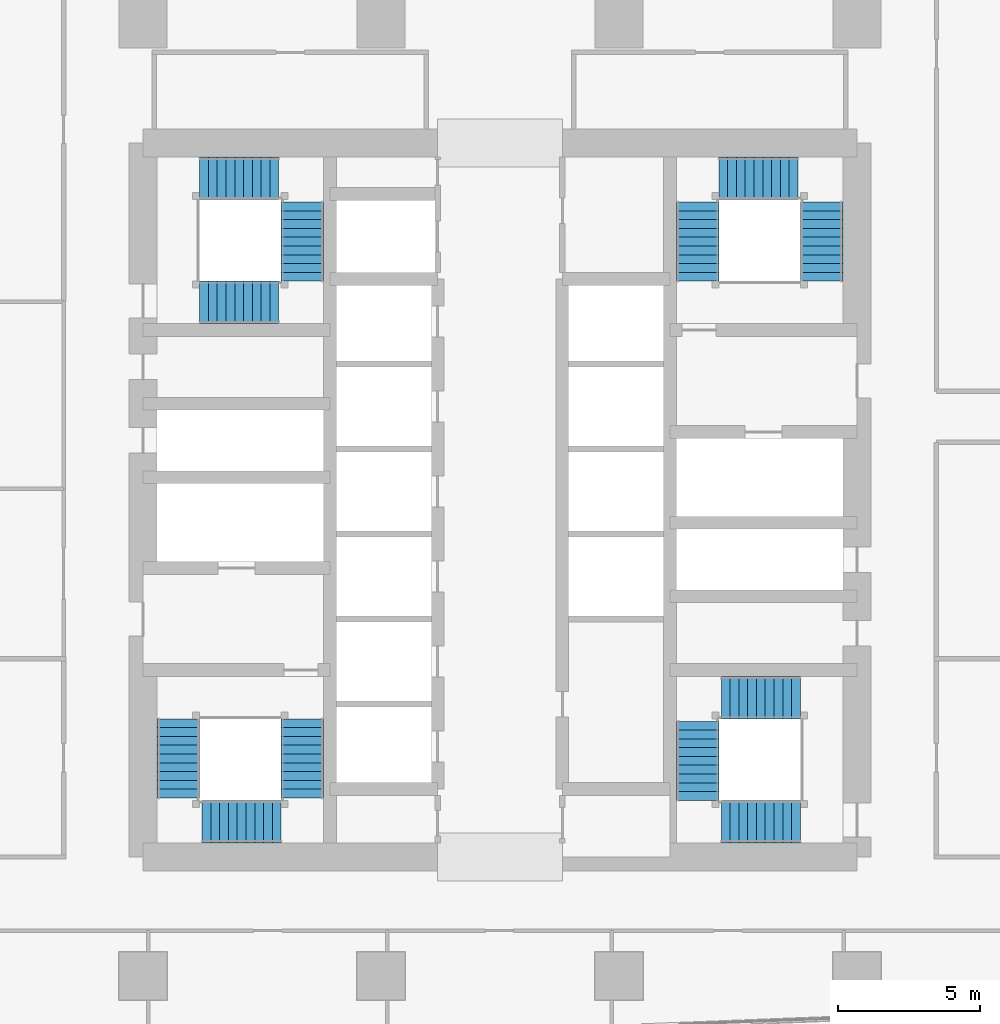
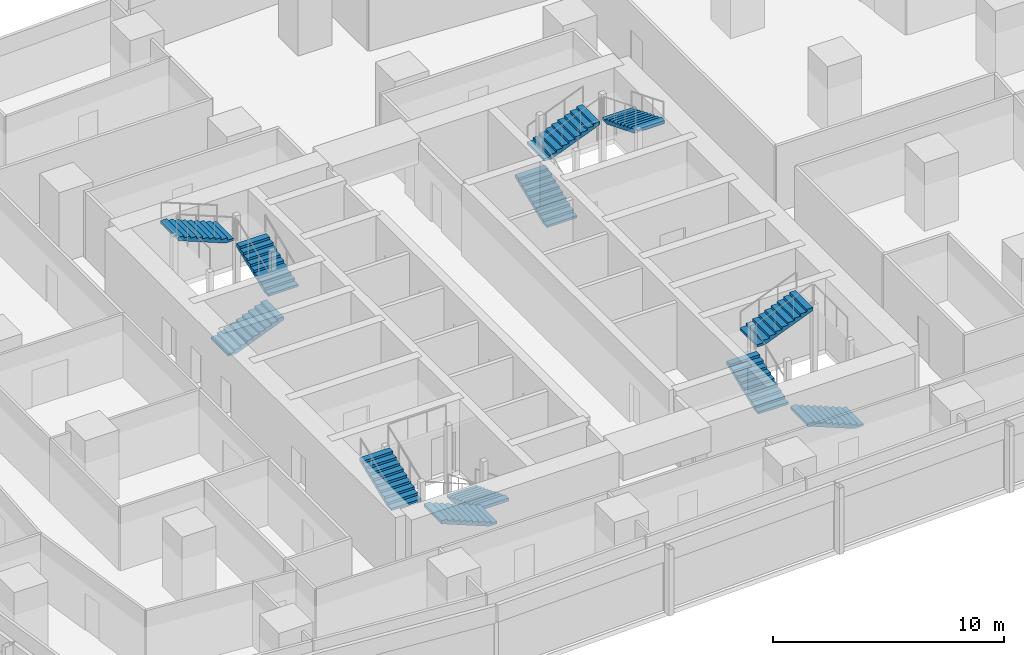
# One storey, part 32 of 40: 12 stair flights, 4 elements without a shape of their own.
"""IFC4 building model written with IfcOpenShell, lengths in metres."""

from ifc_helpers import new_model, si_unit, direction, frame, origin, place, context, subcontext, project, spatial, polyline, outline, extrude, material, type_object, element, aggregate, save


model = new_model("IFC4")

# Units and contexts
model_context = context("Model", 3, precision=1e-05, world=origin(), true_north=direction((0.0, 1.0)))
body_context = subcontext(model_context, "Body", "Model", "MODEL_VIEW")
ifc_project = project(units=[si_unit("LENGTHUNIT", "METRE"), si_unit("AREAUNIT", "SQUARE_METRE"), si_unit("VOLUMEUNIT", "CUBIC_METRE"), si_unit("PLANEANGLEUNIT", "RADIAN"), si_unit("MASSUNIT", "GRAM", prefix="KILO")], contexts=[model_context])

# Site, building, storey
site_placement = place(None, origin())
site = spatial("IfcSite", under=ifc_project, at=site_placement, CompositionType="ELEMENT")
building_placement = place(site_placement, origin())
building = spatial("IfcBuilding", under=site, at=building_placement, Name="Rekha Terrace Tower", CompositionType="ELEMENT")
storey_placement = place(building_placement, frame((0.0, 0.0, 136.550048828125)))
storey = spatial("IfcBuildingStorey", under=building, at=storey_placement, Name="L34", CompositionType="ELEMENT", Elevation=136.550048828125)

# Stair, stair flights
ifc_material = material(Name="Concrete M40", Category="concrete")
stair_type = type_object("IfcStairType", Name="ST30 stair, 30 risers of 125, going 310, 1500 wide flights, 3 flights", PredefinedType="HALF_TURN_STAIR", material=ifc_material)
stair_1_placement = place(storey_placement, origin())
stair_1 = element("IfcStair", 1, at=stair_1_placement, inside=storey, type_object=stair_type, Name="Stair ST1 L34 to L35", PredefinedType="HALF_TURN_STAIR")
stair_flight_type = type_object("IfcStairFlightType", Name="SF10 stair flight, 10 risers of 125, going 310, 1500 wide", PredefinedType="STRAIGHT", material=ifc_material)
stair_flight_1_placement = place(storey_placement, frame((30.824951171875, 25.875, 0.0), z_axis=(0.0, 0.0, 1.0), x_axis=(0.0, -1.0, 0.0)))
stair_flight_1 = element("IfcStairFlight", 2, at=stair_flight_1_placement, type_object=stair_flight_type, Name="ST1 flight 1", NumberOfRisers=10, NumberOfTreads=9, PredefinedType="STRAIGHT", RiserHeight=0.125, TreadLength=0.31, context=body_context, shape_type="SweptSolid", body=[
    extrude(outline(polyline([(0.0, 0.0), (0.0, 0.125), (0.31005859375, 0.125), (0.31005859375, 0.25), (0.6201171875, 0.25), (0.6201171875, 0.375), (0.929931640625, 0.375), (0.929931640625, 0.5), (1.239990234375, 0.5), (1.239990234375, 0.625), (1.550048828125, 0.625), (1.550048828125, 0.75), (1.860107421875, 0.75), (1.860107421875, 0.875), (2.169921875, 0.875), (2.169921875, 1.0), (2.47998046875, 1.0), (2.47998046875, 1.125), (2.7900390625, 1.125), (2.7900390625, 1.25), (2.7900390625, 0.96337890625), (0.40087890625, 0.0), (0.0, 0.0)])), frame((0.0, 0.75, 0.0), z_axis=(0.0, -1.0, 0.0), x_axis=(1.0, 0.0, 0.0)), (0.0, 0.0, 1.0), 1.5),
])
stair_flight_2_placement = place(storey_placement, frame((30.074951171875, 22.25, 1.25), z_axis=(0.0, 0.0, 1.0), x_axis=(-1.0, 0.0, 0.0)))
stair_flight_2 = element("IfcStairFlight", 3, at=stair_flight_2_placement, type_object=stair_flight_type, Name="ST1 flight 2", NumberOfRisers=10, NumberOfTreads=9, PredefinedType="STRAIGHT", RiserHeight=0.125, TreadLength=0.31, context=body_context, shape_type="SweptSolid", body=[
    extrude(outline(polyline([(0.0, 0.0), (0.0, 0.125), (0.31005859375, 0.125), (0.31005859375, 0.25), (0.6201171875, 0.25), (0.6201171875, 0.375), (0.929931640625, 0.375), (0.929931640625, 0.5), (1.239990234375, 0.5), (1.239990234375, 0.625), (1.550048828125, 0.625), (1.550048828125, 0.75), (1.860107421875, 0.75), (1.860107421875, 0.875), (2.169921875, 0.875), (2.169921875, 1.0), (2.47998046875, 1.0), (2.47998046875, 1.125), (2.7900390625, 1.125), (2.7900390625, 1.25), (2.7900390625, 0.96337890625), (0.40087890625, 0.0), (0.0, 0.0)])), frame((0.0, 0.75, 0.0), z_axis=(0.0, -1.0, 0.0), x_axis=(1.0, 0.0, 0.0)), (0.0, 0.0, 1.0), 1.5),
])
stair_flight_3_placement = place(storey_placement, frame((26.449951171875, 23.0849609375, 2.5), z_axis=(0.0, 0.0, 1.0), x_axis=(0.0, 1.0, 0.0)))
stair_flight_3 = element("IfcStairFlight", 4, at=stair_flight_3_placement, type_object=stair_flight_type, Name="ST1 flight 3", NumberOfRisers=10, NumberOfTreads=9, PredefinedType="STRAIGHT", RiserHeight=0.125, TreadLength=0.31, context=body_context, shape_type="SweptSolid", body=[
    extrude(outline(polyline([(0.0, 0.0), (0.0, 0.125), (0.31005859375, 0.125), (0.31005859375, 0.25), (0.6201171875, 0.25), (0.6201171875, 0.375), (0.929931640625, 0.375), (0.929931640625, 0.5), (1.239990234375, 0.5), (1.239990234375, 0.625), (1.550048828125, 0.625), (1.550048828125, 0.75), (1.860107421875, 0.75), (1.860107421875, 0.875), (2.169921875, 0.875), (2.169921875, 1.0), (2.47998046875, 1.0), (2.47998046875, 1.125), (2.7900390625, 1.125), (2.7900390625, 1.25), (2.7900390625, 0.96337890625), (0.40087890625, 0.0), (0.0, 0.0)])), frame((0.0, 0.75, 0.0), z_axis=(0.0, -1.0, 0.0), x_axis=(1.0, 0.0, 0.0)), (0.0, 0.0, 1.0), 1.5),
])
aggregate(stair_1, [stair_flight_1, stair_flight_2, stair_flight_3])

stair_2_placement = place(storey_placement, origin())
stair_2 = element("IfcStair", 5, at=stair_2_placement, inside=storey, type_object=stair_type, Name="Stair ST2 L34 to L35", PredefinedType="HALF_TURN_STAIR")
stair_flight_4_placement = place(storey_placement, frame((44.77490234375, 41.324951171875, 0.0), z_axis=(0.0, 0.0, 1.0), x_axis=(0.0, 1.0, 0.0)))
stair_flight_4 = element("IfcStairFlight", 6, at=stair_flight_4_placement, type_object=stair_flight_type, Name="ST2 flight 1", NumberOfRisers=10, NumberOfTreads=9, PredefinedType="STRAIGHT", RiserHeight=0.125, TreadLength=0.31, context=body_context, shape_type="SweptSolid", body=[
    extrude(outline(polyline([(0.0, 0.0), (0.0, 0.125), (0.31005859375, 0.125), (0.31005859375, 0.25), (0.6201171875, 0.25), (0.6201171875, 0.375), (0.929931640625, 0.375), (0.929931640625, 0.5), (1.239990234375, 0.5), (1.239990234375, 0.625), (1.550048828125, 0.625), (1.550048828125, 0.75), (1.860107421875, 0.75), (1.860107421875, 0.875), (2.169921875, 0.875), (2.169921875, 1.0), (2.47998046875, 1.0), (2.47998046875, 1.125), (2.7900390625, 1.125), (2.7900390625, 1.25), (2.7900390625, 0.96337890625), (0.40087890625, 0.0), (0.0, 0.0)])), frame((0.0, 0.75, 0.0), z_axis=(0.0, -1.0, 0.0), x_axis=(1.0, 0.0, 0.0)), (0.0, 0.0, 1.0), 1.5),
])
stair_flight_5_placement = place(storey_placement, frame((45.52490234375, 44.949951171875, 1.25), z_axis=(0.0, 0.0, 1.0), x_axis=(1.0, 0.0, 0.0)))
stair_flight_5 = element("IfcStairFlight", 7, at=stair_flight_5_placement, type_object=stair_flight_type, Name="ST2 flight 2", NumberOfRisers=10, NumberOfTreads=9, PredefinedType="STRAIGHT", RiserHeight=0.125, TreadLength=0.31, context=body_context, shape_type="SweptSolid", body=[
    extrude(outline(polyline([(0.0, 0.0), (0.0, 0.125), (0.31005859375, 0.125), (0.31005859375, 0.25), (0.6201171875, 0.25), (0.6201171875, 0.375), (0.929931640625, 0.375), (0.929931640625, 0.5), (1.239990234375, 0.5), (1.239990234375, 0.625), (1.550048828125, 0.625), (1.550048828125, 0.75), (1.860107421875, 0.75), (1.860107421875, 0.875), (2.169921875, 0.875), (2.169921875, 1.0), (2.47998046875, 1.0), (2.47998046875, 1.125), (2.7900390625, 1.125), (2.7900390625, 1.25), (2.7900390625, 0.96337890625), (0.40087890625, 0.0), (0.0, 0.0)])), frame((0.0, 0.75, 0.0), z_axis=(0.0, -1.0, 0.0), x_axis=(1.0, 0.0, 0.0)), (0.0, 0.0, 1.0), 1.5),
])
stair_flight_6_placement = place(storey_placement, frame((49.14990234375, 44.114990234375, 2.5), z_axis=(0.0, 0.0, 1.0), x_axis=(0.0, -1.0, 0.0)))
stair_flight_6 = element("IfcStairFlight", 8, at=stair_flight_6_placement, type_object=stair_flight_type, Name="ST2 flight 3", NumberOfRisers=10, NumberOfTreads=9, PredefinedType="STRAIGHT", RiserHeight=0.125, TreadLength=0.31, context=body_context, shape_type="SweptSolid", body=[
    extrude(outline(polyline([(0.0, 0.0), (0.0, 0.125), (0.31005859375, 0.125), (0.31005859375, 0.25), (0.6201171875, 0.25), (0.6201171875, 0.375), (0.929931640625, 0.375), (0.929931640625, 0.5), (1.239990234375, 0.5), (1.239990234375, 0.625), (1.550048828125, 0.625), (1.550048828125, 0.75), (1.860107421875, 0.75), (1.860107421875, 0.875), (2.169921875, 0.875), (2.169921875, 1.0), (2.47998046875, 1.0), (2.47998046875, 1.125), (2.7900390625, 1.125), (2.7900390625, 1.25), (2.7900390625, 0.96337890625), (0.40087890625, 0.0), (0.0, 0.0)])), frame((0.0, 0.75, 0.0), z_axis=(0.0, -1.0, 0.0), x_axis=(1.0, 0.0, 0.0)), (0.0, 0.0, 1.0), 1.5),
])
aggregate(stair_2, [stair_flight_4, stair_flight_5, stair_flight_6])

stair_3_placement = place(storey_placement, origin())
stair_3 = element("IfcStair", 9, at=stair_3_placement, inside=storey, type_object=stair_type, Name="Stair ST3 L34 to L35", PredefinedType="HALF_TURN_STAIR")
stair_flight_7_placement = place(storey_placement, frame((48.39990234375, 22.25, 0.0), z_axis=(0.0, 0.0, 1.0), x_axis=(-1.0, 0.0, 0.0)))
stair_flight_7 = element("IfcStairFlight", 10, at=stair_flight_7_placement, type_object=stair_flight_type, Name="ST3 flight 1", NumberOfRisers=10, NumberOfTreads=9, PredefinedType="STRAIGHT", RiserHeight=0.125, TreadLength=0.31, context=body_context, shape_type="SweptSolid", body=[
    extrude(outline(polyline([(0.0, 0.0), (0.0, 0.125), (0.31005859375, 0.125), (0.31005859375, 0.25), (0.6201171875, 0.25), (0.6201171875, 0.375), (0.929931640625, 0.375), (0.929931640625, 0.5), (1.239990234375, 0.5), (1.239990234375, 0.625), (1.550048828125, 0.625), (1.550048828125, 0.75), (1.860107421875, 0.75), (1.860107421875, 0.875), (2.169921875, 0.875), (2.169921875, 1.0), (2.47998046875, 1.0), (2.47998046875, 1.125), (2.7900390625, 1.125), (2.7900390625, 1.25), (2.7900390625, 0.96337890625), (0.40087890625, 0.0), (0.0, 0.0)])), frame((0.0, 0.75, 0.0), z_axis=(0.0, -1.0, 0.0), x_axis=(1.0, 0.0, 0.0)), (0.0, 0.0, 1.0), 1.5),
])
stair_flight_8_placement = place(storey_placement, frame((44.77490234375, 23.0, 1.25), z_axis=(0.0, 0.0, 1.0), x_axis=(0.0, 1.0, 0.0)))
stair_flight_8 = element("IfcStairFlight", 11, at=stair_flight_8_placement, type_object=stair_flight_type, Name="ST3 flight 2", NumberOfRisers=10, NumberOfTreads=9, PredefinedType="STRAIGHT", RiserHeight=0.125, TreadLength=0.31, context=body_context, shape_type="SweptSolid", body=[
    extrude(outline(polyline([(0.0, 0.0), (0.0, 0.125), (0.31005859375, 0.125), (0.31005859375, 0.25), (0.6201171875, 0.25), (0.6201171875, 0.375), (0.929931640625, 0.375), (0.929931640625, 0.5), (1.239990234375, 0.5), (1.239990234375, 0.625), (1.550048828125, 0.625), (1.550048828125, 0.75), (1.860107421875, 0.75), (1.860107421875, 0.875), (2.169921875, 0.875), (2.169921875, 1.0), (2.47998046875, 1.0), (2.47998046875, 1.125), (2.7900390625, 1.125), (2.7900390625, 1.25), (2.7900390625, 0.96337890625), (0.40087890625, 0.0), (0.0, 0.0)])), frame((0.0, 0.75, 0.0), z_axis=(0.0, -1.0, 0.0), x_axis=(1.0, 0.0, 0.0)), (0.0, 0.0, 1.0), 1.5),
])
stair_flight_9_placement = place(storey_placement, frame((45.610107421875, 26.625, 2.5), z_axis=(0.0, 0.0, 1.0), x_axis=(1.0, 0.0, 0.0)))
stair_flight_9 = element("IfcStairFlight", 12, at=stair_flight_9_placement, type_object=stair_flight_type, Name="ST3 flight 3", NumberOfRisers=10, NumberOfTreads=9, PredefinedType="STRAIGHT", RiserHeight=0.125, TreadLength=0.31, context=body_context, shape_type="SweptSolid", body=[
    extrude(outline(polyline([(0.0, 0.0), (0.0, 0.125), (0.31005859375, 0.125), (0.31005859375, 0.25), (0.6201171875, 0.25), (0.6201171875, 0.375), (0.929931640625, 0.375), (0.929931640625, 0.5), (1.239990234375, 0.5), (1.239990234375, 0.625), (1.550048828125, 0.625), (1.550048828125, 0.75), (1.860107421875, 0.75), (1.860107421875, 0.875), (2.169921875, 0.875), (2.169921875, 1.0), (2.47998046875, 1.0), (2.47998046875, 1.125), (2.7900390625, 1.125), (2.7900390625, 1.25), (2.7900390625, 0.96337890625), (0.40087890625, 0.0), (0.0, 0.0)])), frame((0.0, 0.75, 0.0), z_axis=(0.0, -1.0, 0.0), x_axis=(1.0, 0.0, 0.0)), (0.0, 0.0, 1.0), 1.5),
])
aggregate(stair_3, [stair_flight_7, stair_flight_8, stair_flight_9])

stair_4_placement = place(storey_placement, origin())
stair_4 = element("IfcStair", 13, at=stair_4_placement, inside=storey, type_object=stair_type, Name="Stair ST4 L34 to L35", PredefinedType="HALF_TURN_STAIR")
stair_flight_10_placement = place(storey_placement, frame((27.199951171875, 40.574951171875, 0.0), z_axis=(0.0, 0.0, 1.0), x_axis=(1.0, 0.0, 0.0)))
stair_flight_10 = element("IfcStairFlight", 14, at=stair_flight_10_placement, type_object=stair_flight_type, Name="ST4 flight 1", NumberOfRisers=10, NumberOfTreads=9, PredefinedType="STRAIGHT", RiserHeight=0.125, TreadLength=0.31, context=body_context, shape_type="SweptSolid", body=[
    extrude(outline(polyline([(0.0, 0.0), (0.0, 0.125), (0.31005859375, 0.125), (0.31005859375, 0.25), (0.6201171875, 0.25), (0.6201171875, 0.375), (0.929931640625, 0.375), (0.929931640625, 0.5), (1.239990234375, 0.5), (1.239990234375, 0.625), (1.550048828125, 0.625), (1.550048828125, 0.75), (1.860107421875, 0.75), (1.860107421875, 0.875), (2.169921875, 0.875), (2.169921875, 1.0), (2.47998046875, 1.0), (2.47998046875, 1.125), (2.7900390625, 1.125), (2.7900390625, 1.25), (2.7900390625, 0.96337890625), (0.40087890625, 0.0), (0.0, 0.0)])), frame((0.0, 0.75, 0.0), z_axis=(0.0, -1.0, 0.0), x_axis=(1.0, 0.0, 0.0)), (0.0, 0.0, 1.0), 1.5),
])
stair_flight_11_placement = place(storey_placement, frame((30.824951171875, 41.324951171875, 1.25), z_axis=(0.0, 0.0, 1.0), x_axis=(0.0, 1.0, 0.0)))
stair_flight_11 = element("IfcStairFlight", 15, at=stair_flight_11_placement, type_object=stair_flight_type, Name="ST4 flight 2", NumberOfRisers=10, NumberOfTreads=9, PredefinedType="STRAIGHT", RiserHeight=0.125, TreadLength=0.31, context=body_context, shape_type="SweptSolid", body=[
    extrude(outline(polyline([(0.0, 0.0), (0.0, 0.125), (0.31005859375, 0.125), (0.31005859375, 0.25), (0.6201171875, 0.25), (0.6201171875, 0.375), (0.929931640625, 0.375), (0.929931640625, 0.5), (1.239990234375, 0.5), (1.239990234375, 0.625), (1.550048828125, 0.625), (1.550048828125, 0.75), (1.860107421875, 0.75), (1.860107421875, 0.875), (2.169921875, 0.875), (2.169921875, 1.0), (2.47998046875, 1.0), (2.47998046875, 1.125), (2.7900390625, 1.125), (2.7900390625, 1.25), (2.7900390625, 0.96337890625), (0.40087890625, 0.0), (0.0, 0.0)])), frame((0.0, 0.75, 0.0), z_axis=(0.0, -1.0, 0.0), x_axis=(1.0, 0.0, 0.0)), (0.0, 0.0, 1.0), 1.5),
])
stair_flight_12_placement = place(storey_placement, frame((29.989990234375, 44.949951171875, 2.5), z_axis=(0.0, 0.0, 1.0), x_axis=(-1.0, 0.0, 0.0)))
stair_flight_12 = element("IfcStairFlight", 16, at=stair_flight_12_placement, type_object=stair_flight_type, Name="ST4 flight 3", NumberOfRisers=10, NumberOfTreads=9, PredefinedType="STRAIGHT", RiserHeight=0.125, TreadLength=0.31, context=body_context, shape_type="SweptSolid", body=[
    extrude(outline(polyline([(0.0, 0.0), (0.0, 0.125), (0.31005859375, 0.125), (0.31005859375, 0.25), (0.6201171875, 0.25), (0.6201171875, 0.375), (0.929931640625, 0.375), (0.929931640625, 0.5), (1.239990234375, 0.5), (1.239990234375, 0.625), (1.550048828125, 0.625), (1.550048828125, 0.75), (1.860107421875, 0.75), (1.860107421875, 0.875), (2.169921875, 0.875), (2.169921875, 1.0), (2.47998046875, 1.0), (2.47998046875, 1.125), (2.7900390625, 1.125), (2.7900390625, 1.25), (2.7900390625, 0.96337890625), (0.40087890625, 0.0), (0.0, 0.0)])), frame((0.0, 0.75, 0.0), z_axis=(0.0, -1.0, 0.0), x_axis=(1.0, 0.0, 0.0)), (0.0, 0.0, 1.0), 1.5),
])
aggregate(stair_4, [stair_flight_10, stair_flight_11, stair_flight_12])

save(model, "model.ifc")
